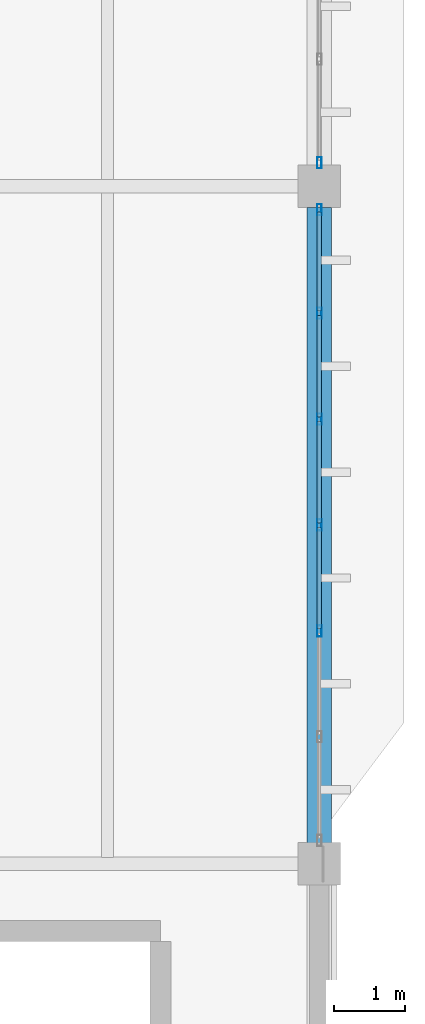
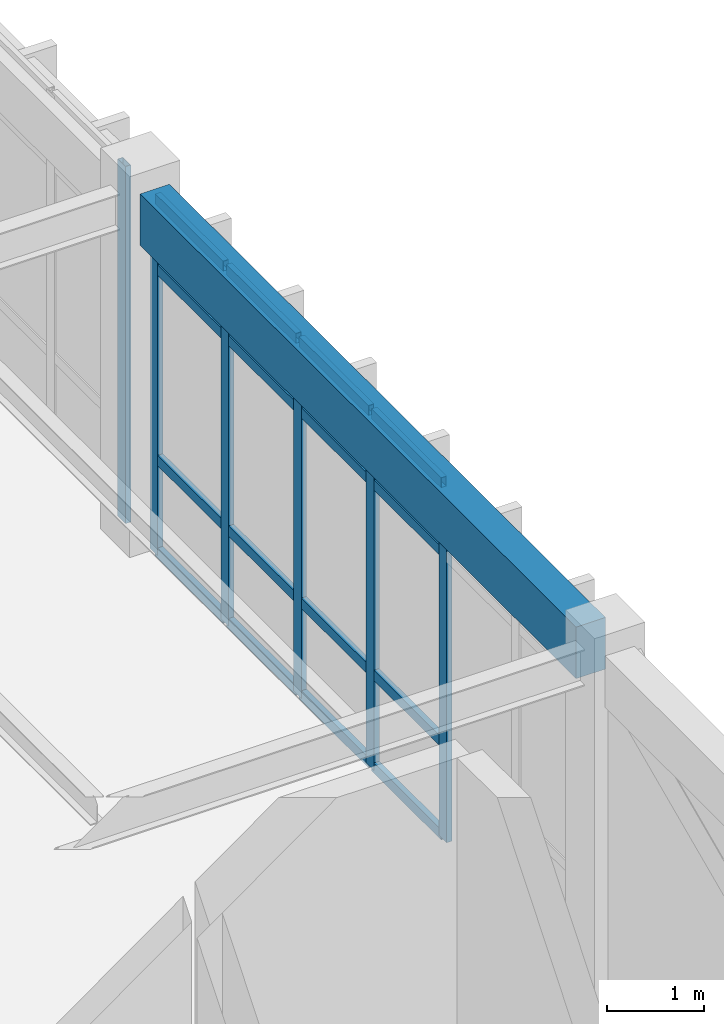
# One storey, part 169 of 236: 22 members, 1 beam, 2 elements without a shape of their own.
"""IFC4 building model written with IfcOpenShell, lengths in metres."""

from ifc_helpers import new_model, si_unit, direction, frame, origin, origin_2d, place, context, subcontext, project, spatial, rectangle, hollow_rectangle, extrude, material, layer, layer_set, material_profile, profile_set, type_object, element, aggregate, save


model = new_model("IFC4")

# Units and contexts
model_context = context("Model", 3, precision=1e-05, world=origin(), true_north=direction((0.0, 1.0)))
body_context = subcontext(model_context, "Body", "Model", "MODEL_VIEW")
ifc_project = project(units=[si_unit("LENGTHUNIT", "METRE"), si_unit("AREAUNIT", "SQUARE_METRE"), si_unit("VOLUMEUNIT", "CUBIC_METRE"), si_unit("PLANEANGLEUNIT", "RADIAN"), si_unit("MASSUNIT", "GRAM", prefix="KILO")], contexts=[model_context])

# Site, building, storey
site_placement = place(None, origin())
site = spatial("IfcSite", under=ifc_project, at=site_placement, CompositionType="ELEMENT")
building_placement = place(site_placement, origin())
building = spatial("IfcBuilding", under=site, at=building_placement, Name="Pandanus Reach Market Hall", CompositionType="ELEMENT")
storey_placement = place(building_placement, frame((0.0, 0.0, 5.39990234375)))
storey = spatial("IfcBuildingStorey", under=building, at=storey_placement, Name="L01", CompositionType="ELEMENT", Elevation=5.39990234375)

# Beam
ifc_material_1 = material(Name="Concrete N40 (40 MPa)", Category="concrete")
ifc_material_profile_1 = material_profile(ifc_material_1, rectangle(XDim=0.35009765625, YDim=0.64990234375, at=origin_2d()), Name="RC350x650", Category="LoadBearing")
ifc_profile_set_1 = profile_set([ifc_material_profile_1], Name="Concrete N40 (40 MPa)")
beam_type = type_object("IfcBeamType", Name="BM-RC350-E", PredefinedType="SPANDREL", material=ifc_profile_set_1)
beam_placement = place(storey_placement, frame((180.0, 77.097900390625, 4.215087890625), z_axis=(0.0, 1.0, 0.0), x_axis=(-1.0, 0.0, 0.0)))
element("IfcBeam", 1, at=beam_placement, inside=storey, type_object=beam_type, Name="Framing beam BM-RC350-E L01.370", PredefinedType="SPANDREL", context=body_context, shape_type="SweptSolid", body=[
    extrude(rectangle(XDim=0.35009765625, YDim=0.64990234375, at=origin_2d()), origin(), (0.0, 0.0, 1.0), 9.004150390625),
])

# Curtain wall, members
ifc_material_2 = material(Name="Bronze anodised aluminium and low-E glass", Category="aluminium")
ifc_layer = layer(ifc_material_2, 0.159912109375, Name="CW-28")
ifc_layer_set = layer_set([ifc_layer], Name="Bronze anodised aluminium and low-E glass")
curtain_wall_type = type_object("IfcCurtainWallType", Name="CW-28", PredefinedType="NOTDEFINED", material=ifc_layer_set)
curtain_wall_1_placement = place(storey_placement, origin())
curtain_wall_1 = element("IfcCurtainWall", 2, at=curtain_wall_1_placement, inside=storey, type_object=curtain_wall_type, Name="Glazed curtain wall CW-28 CW-0089", PredefinedType="NOTDEFINED")
ifc_material_3 = material(Name="Bronze anodised aluminium", Category="aluminium")
ifc_material_profile_2 = material_profile(ifc_material_3, hollow_rectangle(XDim=0.06494140625, YDim=0.159912109375, WallThickness=0.00390625, at=origin_2d()), Name="ALU65x160", Category="LoadBearing")
ifc_profile_set_2 = profile_set([ifc_material_profile_2], Name="Bronze anodised aluminium")
member_type_1 = type_object("IfcMemberType", Name="CW-M1", PredefinedType="MULLION", material=ifc_profile_set_2)
member_1_placement = place(storey_placement, frame((180.0, 80.10009765625, 0.0), z_axis=(0.0, 0.0, 1.0), x_axis=(-1.0, 0.0, 0.0)))
member_1 = element("IfcMember", 3, at=member_1_placement, type_object=member_type_1, Name="CW-28 mullion 3", PredefinedType="MULLION", context=body_context, shape_type="SweptSolid", body=[
    extrude(hollow_rectangle(XDim=0.06494140625, YDim=0.159912109375, WallThickness=0.00390625, at=origin_2d()), origin(), (0.0, 0.0, 1.0), 4.5),
])
member_2_placement = place(storey_placement, frame((180.0, 81.60009765625, 0.0), z_axis=(0.0, 0.0, 1.0), x_axis=(-1.0, 0.0, 0.0)))
member_2 = element("IfcMember", 4, at=member_2_placement, type_object=member_type_1, Name="CW-28 mullion 4", PredefinedType="MULLION", context=body_context, shape_type="SweptSolid", body=[
    extrude(hollow_rectangle(XDim=0.06494140625, YDim=0.159912109375, WallThickness=0.00390625, at=origin_2d()), origin(), (0.0, 0.0, 1.0), 4.5),
])
member_3_placement = place(storey_placement, frame((180.0, 83.10009765625, 0.0), z_axis=(0.0, 0.0, 1.0), x_axis=(-1.0, 0.0, 0.0)))
member_3 = element("IfcMember", 5, at=member_3_placement, type_object=member_type_1, Name="CW-28 mullion 5", PredefinedType="MULLION", context=body_context, shape_type="SweptSolid", body=[
    extrude(hollow_rectangle(XDim=0.06494140625, YDim=0.159912109375, WallThickness=0.00390625, at=origin_2d()), origin(), (0.0, 0.0, 1.0), 4.5),
])
member_4_placement = place(storey_placement, frame((180.0, 84.60009765625, 0.0), z_axis=(0.0, 0.0, 1.0), x_axis=(-1.0, 0.0, 0.0)))
member_4 = element("IfcMember", 6, at=member_4_placement, type_object=member_type_1, Name="CW-28 mullion 6", PredefinedType="MULLION", context=body_context, shape_type="SweptSolid", body=[
    extrude(hollow_rectangle(XDim=0.06494140625, YDim=0.159912109375, WallThickness=0.00390625, at=origin_2d()), origin(), (0.0, 0.0, 1.0), 4.5),
])
member_5_placement = place(storey_placement, frame((180.0, 86.0673828125, 0.0), z_axis=(0.0, 0.0, 1.0), x_axis=(-1.0, 0.0, 0.0)))
member_5 = element("IfcMember", 7, at=member_5_placement, type_object=member_type_1, Name="CW-28 mullion 7", PredefinedType="MULLION", context=body_context, shape_type="SweptSolid", body=[
    extrude(hollow_rectangle(XDim=0.06494140625, YDim=0.159912109375, WallThickness=0.00390625, at=origin_2d()), origin(), (0.0, 0.0, 1.0), 4.5),
])

# Curtain wall, member
curtain_wall_2_placement = place(storey_placement, origin())
curtain_wall_2 = element("IfcCurtainWall", 8, at=curtain_wall_2_placement, inside=storey, type_object=curtain_wall_type, Name="Glazed curtain wall CW-28 CW-0090", PredefinedType="NOTDEFINED")
member_6_placement = place(storey_placement, frame((180.0, 86.732421875, 0.0), z_axis=(0.0, 0.0, 1.0), x_axis=(-1.0, 0.0, 0.0)))
member_6 = element("IfcMember", 9, at=member_6_placement, type_object=member_type_1, Name="CW-28 mullion 1", PredefinedType="MULLION", context=body_context, shape_type="SweptSolid", body=[
    extrude(hollow_rectangle(XDim=0.06494140625, YDim=0.159912109375, WallThickness=0.00390625, at=origin_2d()), origin(), (0.0, 0.0, 1.0), 4.5),
])
aggregate(curtain_wall_2, [member_6])

# Member
ifc_material_profile_3 = material_profile(ifc_material_3, hollow_rectangle(XDim=0.06494140625, YDim=0.1298828125, WallThickness=0.00390625, at=origin_2d()), Name="ALU65x130", Category="LoadBearing")
ifc_profile_set_3 = profile_set([ifc_material_profile_3], Name="Bronze anodised aluminium")
member_type_2 = type_object("IfcMemberType", Name="CW-T1", PredefinedType="USERDEFINED", material=ifc_profile_set_3)
member_7_placement = place(storey_placement, frame((180.0, 80.132568359375, 0.03271484375), z_axis=(0.0, 1.0, 0.0), x_axis=(-1.0, 0.0, 0.0)))
member_7 = element("IfcMember", 10, at=member_7_placement, type_object=member_type_2, Name="CW-28 transom 3.1", ObjectType="TRANSOM", PredefinedType="USERDEFINED", context=body_context, shape_type="SweptSolid", body=[
    extrude(hollow_rectangle(XDim=0.06494140625, YDim=0.1298828125, WallThickness=0.00390625, at=origin_2d()), origin(), (0.0, 0.0, 1.0), 1.434814453125),
])

member_8_placement = place(storey_placement, frame((180.0, 80.132568359375, 1.2001953125), z_axis=(0.0, 1.0, 0.0), x_axis=(-1.0, 0.0, 0.0)))
member_8 = element("IfcMember", 11, at=member_8_placement, type_object=member_type_2, Name="CW-28 transom 3.2", ObjectType="TRANSOM", PredefinedType="USERDEFINED", context=body_context, shape_type="SweptSolid", body=[
    extrude(hollow_rectangle(XDim=0.06494140625, YDim=0.1298828125, WallThickness=0.00390625, at=origin_2d()), origin(), (0.0, 0.0, 1.0), 1.434814453125),
])

member_9_placement = place(storey_placement, frame((180.0, 80.132568359375, 3.60009765625), z_axis=(0.0, 1.0, 0.0), x_axis=(-1.0, 0.0, 0.0)))
member_9 = element("IfcMember", 12, at=member_9_placement, type_object=member_type_2, Name="CW-28 transom 3.3", ObjectType="TRANSOM", PredefinedType="USERDEFINED", context=body_context, shape_type="SweptSolid", body=[
    extrude(hollow_rectangle(XDim=0.06494140625, YDim=0.1298828125, WallThickness=0.00390625, at=origin_2d()), origin(), (0.0, 0.0, 1.0), 1.434814453125),
])

member_10_placement = place(storey_placement, frame((180.0, 80.132568359375, 4.467529296875), z_axis=(0.0, 1.0, 0.0), x_axis=(-1.0, 0.0, 0.0)))
member_10 = element("IfcMember", 13, at=member_10_placement, type_object=member_type_2, Name="CW-28 transom 3.4", ObjectType="TRANSOM", PredefinedType="USERDEFINED", context=body_context, shape_type="SweptSolid", body=[
    extrude(hollow_rectangle(XDim=0.06494140625, YDim=0.1298828125, WallThickness=0.00390625, at=origin_2d()), origin(), (0.0, 0.0, 1.0), 1.434814453125),
])

member_11_placement = place(storey_placement, frame((180.0, 81.632568359375, 0.03271484375), z_axis=(0.0, 1.0, 0.0), x_axis=(-1.0, 0.0, 0.0)))
member_11 = element("IfcMember", 14, at=member_11_placement, type_object=member_type_2, Name="CW-28 transom 4.1", ObjectType="TRANSOM", PredefinedType="USERDEFINED", context=body_context, shape_type="SweptSolid", body=[
    extrude(hollow_rectangle(XDim=0.06494140625, YDim=0.1298828125, WallThickness=0.00390625, at=origin_2d()), origin(), (0.0, 0.0, 1.0), 1.434814453125),
])

member_12_placement = place(storey_placement, frame((180.0, 81.632568359375, 1.2001953125), z_axis=(0.0, 1.0, 0.0), x_axis=(-1.0, 0.0, 0.0)))
member_12 = element("IfcMember", 15, at=member_12_placement, type_object=member_type_2, Name="CW-28 transom 4.2", ObjectType="TRANSOM", PredefinedType="USERDEFINED", context=body_context, shape_type="SweptSolid", body=[
    extrude(hollow_rectangle(XDim=0.06494140625, YDim=0.1298828125, WallThickness=0.00390625, at=origin_2d()), origin(), (0.0, 0.0, 1.0), 1.434814453125),
])

member_13_placement = place(storey_placement, frame((180.0, 81.632568359375, 3.60009765625), z_axis=(0.0, 1.0, 0.0), x_axis=(-1.0, 0.0, 0.0)))
member_13 = element("IfcMember", 16, at=member_13_placement, type_object=member_type_2, Name="CW-28 transom 4.3", ObjectType="TRANSOM", PredefinedType="USERDEFINED", context=body_context, shape_type="SweptSolid", body=[
    extrude(hollow_rectangle(XDim=0.06494140625, YDim=0.1298828125, WallThickness=0.00390625, at=origin_2d()), origin(), (0.0, 0.0, 1.0), 1.434814453125),
])

member_14_placement = place(storey_placement, frame((180.0, 81.632568359375, 4.467529296875), z_axis=(0.0, 1.0, 0.0), x_axis=(-1.0, 0.0, 0.0)))
member_14 = element("IfcMember", 17, at=member_14_placement, type_object=member_type_2, Name="CW-28 transom 4.4", ObjectType="TRANSOM", PredefinedType="USERDEFINED", context=body_context, shape_type="SweptSolid", body=[
    extrude(hollow_rectangle(XDim=0.06494140625, YDim=0.1298828125, WallThickness=0.00390625, at=origin_2d()), origin(), (0.0, 0.0, 1.0), 1.434814453125),
])

member_15_placement = place(storey_placement, frame((180.0, 83.132568359375, 0.03271484375), z_axis=(0.0, 1.0, 0.0), x_axis=(-1.0, 0.0, 0.0)))
member_15 = element("IfcMember", 18, at=member_15_placement, type_object=member_type_2, Name="CW-28 transom 5.1", ObjectType="TRANSOM", PredefinedType="USERDEFINED", context=body_context, shape_type="SweptSolid", body=[
    extrude(hollow_rectangle(XDim=0.06494140625, YDim=0.1298828125, WallThickness=0.00390625, at=origin_2d()), origin(), (0.0, 0.0, 1.0), 1.434814453125),
])

member_16_placement = place(storey_placement, frame((180.0, 83.132568359375, 1.2001953125), z_axis=(0.0, 1.0, 0.0), x_axis=(-1.0, 0.0, 0.0)))
member_16 = element("IfcMember", 19, at=member_16_placement, type_object=member_type_2, Name="CW-28 transom 5.2", ObjectType="TRANSOM", PredefinedType="USERDEFINED", context=body_context, shape_type="SweptSolid", body=[
    extrude(hollow_rectangle(XDim=0.06494140625, YDim=0.1298828125, WallThickness=0.00390625, at=origin_2d()), origin(), (0.0, 0.0, 1.0), 1.434814453125),
])

member_17_placement = place(storey_placement, frame((180.0, 83.132568359375, 3.60009765625), z_axis=(0.0, 1.0, 0.0), x_axis=(-1.0, 0.0, 0.0)))
member_17 = element("IfcMember", 20, at=member_17_placement, type_object=member_type_2, Name="CW-28 transom 5.3", ObjectType="TRANSOM", PredefinedType="USERDEFINED", context=body_context, shape_type="SweptSolid", body=[
    extrude(hollow_rectangle(XDim=0.06494140625, YDim=0.1298828125, WallThickness=0.00390625, at=origin_2d()), origin(), (0.0, 0.0, 1.0), 1.434814453125),
])

member_18_placement = place(storey_placement, frame((180.0, 83.132568359375, 4.467529296875), z_axis=(0.0, 1.0, 0.0), x_axis=(-1.0, 0.0, 0.0)))
member_18 = element("IfcMember", 21, at=member_18_placement, type_object=member_type_2, Name="CW-28 transom 5.4", ObjectType="TRANSOM", PredefinedType="USERDEFINED", context=body_context, shape_type="SweptSolid", body=[
    extrude(hollow_rectangle(XDim=0.06494140625, YDim=0.1298828125, WallThickness=0.00390625, at=origin_2d()), origin(), (0.0, 0.0, 1.0), 1.434814453125),
])

member_19_placement = place(storey_placement, frame((180.0, 84.632568359375, 0.03271484375), z_axis=(0.0, 1.0, 0.0), x_axis=(-1.0, 0.0, 0.0)))
member_19 = element("IfcMember", 22, at=member_19_placement, type_object=member_type_2, Name="CW-28 transom 6.1", ObjectType="TRANSOM", PredefinedType="USERDEFINED", context=body_context, shape_type="SweptSolid", body=[
    extrude(hollow_rectangle(XDim=0.06494140625, YDim=0.1298828125, WallThickness=0.00390625, at=origin_2d()), origin(), (0.0, 0.0, 1.0), 1.40234375),
])

member_20_placement = place(storey_placement, frame((180.0, 84.632568359375, 1.2001953125), z_axis=(0.0, 1.0, 0.0), x_axis=(-1.0, 0.0, 0.0)))
member_20 = element("IfcMember", 23, at=member_20_placement, type_object=member_type_2, Name="CW-28 transom 6.2", ObjectType="TRANSOM", PredefinedType="USERDEFINED", context=body_context, shape_type="SweptSolid", body=[
    extrude(hollow_rectangle(XDim=0.06494140625, YDim=0.1298828125, WallThickness=0.00390625, at=origin_2d()), origin(), (0.0, 0.0, 1.0), 1.40234375),
])

member_21_placement = place(storey_placement, frame((180.0, 84.632568359375, 3.60009765625), z_axis=(0.0, 1.0, 0.0), x_axis=(-1.0, 0.0, 0.0)))
member_21 = element("IfcMember", 24, at=member_21_placement, type_object=member_type_2, Name="CW-28 transom 6.3", ObjectType="TRANSOM", PredefinedType="USERDEFINED", context=body_context, shape_type="SweptSolid", body=[
    extrude(hollow_rectangle(XDim=0.06494140625, YDim=0.1298828125, WallThickness=0.00390625, at=origin_2d()), origin(), (0.0, 0.0, 1.0), 1.40234375),
])

member_22_placement = place(storey_placement, frame((180.0, 84.632568359375, 4.467529296875), z_axis=(0.0, 1.0, 0.0), x_axis=(-1.0, 0.0, 0.0)))
member_22 = element("IfcMember", 25, at=member_22_placement, type_object=member_type_2, Name="CW-28 transom 6.4", ObjectType="TRANSOM", PredefinedType="USERDEFINED", context=body_context, shape_type="SweptSolid", body=[
    extrude(hollow_rectangle(XDim=0.06494140625, YDim=0.1298828125, WallThickness=0.00390625, at=origin_2d()), origin(), (0.0, 0.0, 1.0), 1.40234375),
])

aggregate(curtain_wall_1, [member_1, member_2, member_3, member_4, member_5, member_7, member_8, member_9, member_10, member_11, member_12, member_13, member_14, member_15, member_16, member_17, member_18, member_19, member_20, member_21, member_22])

save(model, "model.ifc")
